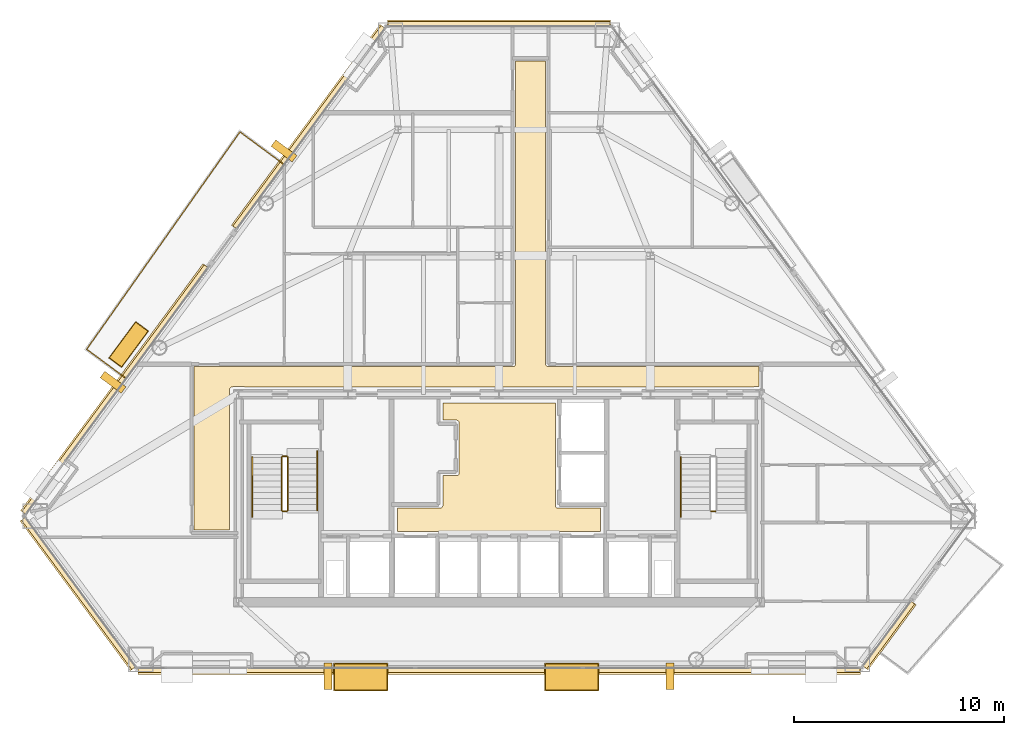
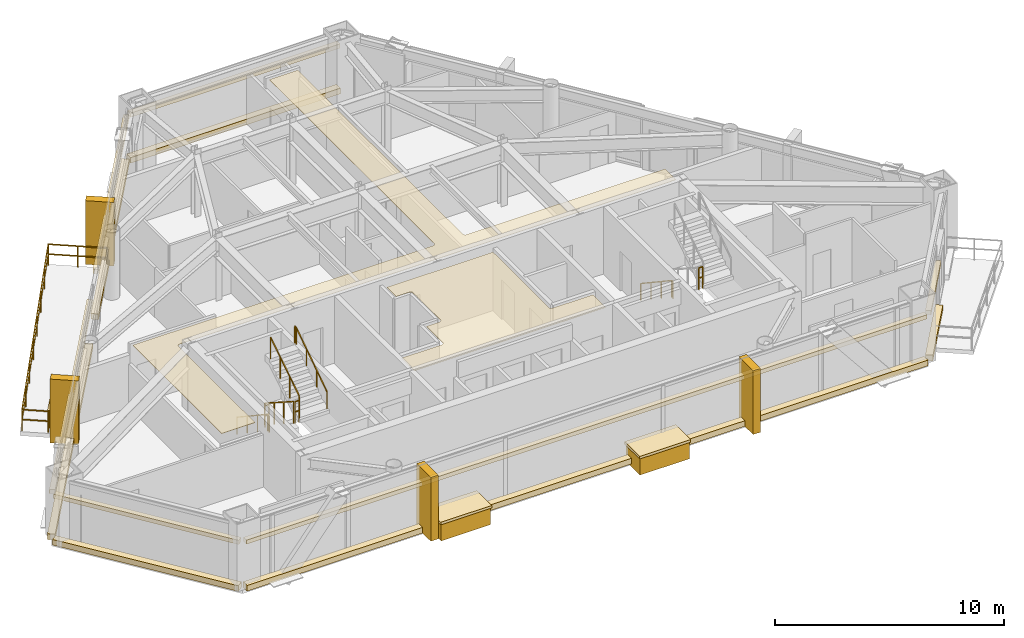
# One storey, part 12 of 13: 24 coverings, 9 railings.
"""IFC4 building model written with IfcOpenShell, lengths in metres."""

import ifcopenshell
import ifcopenshell.guid

model = None  # the IFC model being written
_history = None  # IfcOwnerHistory: only IFC2X3 demands one
_inside = {}  # id of a spatial element -> (the spatial element, [elements in it])
_under = {}  # id of a project, library or spatial element -> (it, [spatial elements below it])
_declared = {}  # id of a project -> (the project, [libraries it declares])
_typed = {}  # id of a type object -> (the type object, [elements of that type])
_made_of = {}  # id of a material, layer set ... -> (it, [elements and type objects made of it])


def new_model(schema):
    """Start an empty IFC model of exactly this schema.

    Asked for "IFC4X3", IfcOpenShell would pick the latest addendum, in which some entities
    have other attributes; the version numbers below select the first issue.
    IFC2X3 requires an IfcOwnerHistory on every rooted entity: one is made here for all.
    """
    global model, _history
    if schema == "IFC4X3":
        model = ifcopenshell.file(schema_version=(4, 3, 0, 0))
    else:
        model = ifcopenshell.file(schema=schema)
    _inside.clear()
    _under.clear()
    _declared.clear()
    _typed.clear()
    _made_of.clear()
    _history = None
    if model.schema == "IFC2X3":
        org = make("IfcOrganization", Name="unknown")
        user = make(
            "IfcPersonAndOrganization",
            ThePerson=make("IfcPerson", FamilyName="unknown"),
            TheOrganization=org,
        )
        app = make(
            "IfcApplication",
            ApplicationDeveloper=org,
            Version="unknown",
            ApplicationFullName="unknown",
            ApplicationIdentifier="unknown",
        )
        _history = make(
            "IfcOwnerHistory",
            OwningUser=user,
            OwningApplication=app,
            ChangeAction="ADDED",
            CreationDate=0,
        )
    return model


def make(cls, **values):
    """One entity of the class cls with the attributes given. An attribute that is None is left unset."""
    return model.create_entity(
        cls, **{name: value for name, value in values.items() if value is not None}
    )


def rooted(cls, **values):
    """An entity with a GlobalId (a new one), such as an element, a storey or a relation."""
    return make(cls, GlobalId=ifcopenshell.guid.new(), OwnerHistory=_history, **values)


def si_unit(unit_type, name, prefix=None):
    """IfcSIUnit, for example si_unit("LENGTHUNIT", "METRE", prefix="MILLI")."""
    return make("IfcSIUnit", UnitType=unit_type, Prefix=prefix, Name=name)


def assignment(units):
    """IfcUnitAssignment: the units of a project."""
    return None if units is None else make("IfcUnitAssignment", Units=units)


def point(xyz):
    """IfcCartesianPoint."""
    return None if xyz is None else make("IfcCartesianPoint", Coordinates=xyz)


def direction(xyz):
    """IfcDirection."""
    return None if xyz is None else make("IfcDirection", DirectionRatios=xyz)


def frame(location, z_axis=None, x_axis=None):
    """IfcAxis2Placement3D, a coordinate frame: its origin and axes. An axis left out is left unset."""
    return make(
        "IfcAxis2Placement3D",
        Location=point(location),
        Axis=direction(z_axis),
        RefDirection=direction(x_axis),
    )


def frame_2d(location, x_axis=None):
    """IfcAxis2Placement2D, a coordinate frame in the plane: its origin and x axis."""
    return make(
        "IfcAxis2Placement2D", Location=point(location), RefDirection=direction(x_axis)
    )


def origin():
    """The frame at (0, 0, 0) with its axes left unset."""
    return frame((0.0, 0.0, 0.0))


def origin_2d():
    """The frame at (0, 0) in the plane with its x axis left unset."""
    return frame_2d((0.0, 0.0))


def place(relative_to, where):
    """IfcLocalPlacement: puts the frame where relative to a parent placement (None: the world)."""
    return make(
        "IfcLocalPlacement", PlacementRelTo=relative_to, RelativePlacement=where
    )


def context(
    kind, dimensions, precision=None, world=None, true_north=None, identifier=None
):
    """IfcGeometricRepresentationContext, for example the 3D "Model" context."""
    return make(
        "IfcGeometricRepresentationContext",
        ContextIdentifier=identifier,
        ContextType=kind,
        CoordinateSpaceDimension=dimensions,
        Precision=precision,
        WorldCoordinateSystem=world,
        TrueNorth=true_north,
    )


def subcontext(parent, identifier, kind, view, scale=None):
    """IfcGeometricRepresentationSubContext, for example "Body" below "Model"."""
    return make(
        "IfcGeometricRepresentationSubContext",
        ContextIdentifier=identifier,
        ContextType=kind,
        ParentContext=parent,
        TargetScale=scale,
        TargetView=view,
    )


def project(units=None, contexts=None):
    """IfcProject with its units and contexts."""
    return rooted(
        "IfcProject",
        Name="project",
        RepresentationContexts=contexts,
        UnitsInContext=assignment(units),
    )


def spatial(cls, under=None, at=None, **own):
    """A site, building, storey or space (cls), placed at a placement, below another one or the project."""
    s = rooted(cls, ObjectPlacement=at, **own)
    if under is not None:
        _under.setdefault(under.id(), (under, []))[1].append(s)
    return s


def polyline(points):
    """IfcPolyline through the points."""
    return make("IfcPolyline", Points=[point(p) for p in points])


def profile(cls, at=None, kind="AREA", **sizes):
    """A parametric profile (cls). Its sizes go by their IFC names, for example OverallWidth=200.0."""
    return make(cls, ProfileType=kind, Position=at, **sizes)


def rectangle(**sizes):
    """IfcRectangleProfileDef."""
    return profile("IfcRectangleProfileDef", **sizes)


def outline(outer, holes=None, kind="AREA"):
    """IfcArbitraryClosedProfileDef: a profile drawn as a closed curve; with holes, ...WithVoids."""
    if holes is None:
        return make("IfcArbitraryClosedProfileDef", ProfileType=kind, OuterCurve=outer)
    return make(
        "IfcArbitraryProfileDefWithVoids",
        ProfileType=kind,
        OuterCurve=outer,
        InnerCurves=holes,
    )


def extrude(swept, where, along, depth):
    """IfcExtrudedAreaSolid: the profile swept, set in the frame where, extruded along a direction by depth."""
    return make(
        "IfcExtrudedAreaSolid",
        SweptArea=swept,
        Position=where,
        ExtrudedDirection=direction(along),
        Depth=depth,
    )


def shape(context_of_items, identifier, shape_type, items):
    """IfcShapeRepresentation: the items that make up one representation, for example the "Body"."""
    return make(
        "IfcShapeRepresentation",
        ContextOfItems=context_of_items,
        RepresentationIdentifier=identifier,
        RepresentationType=shape_type,
        Items=items,
    )


def material(Name=None, Category=None):
    """IfcMaterial."""
    return make("IfcMaterial", Name=Name, Category=Category)


def layer(
    of_material, thickness, ventilated=None, Name=None, Category=None, Priority=None
):
    """IfcMaterialLayer: one layer of a wall or slab, of a material (None: an air gap)."""
    return make(
        "IfcMaterialLayer",
        Material=of_material,
        LayerThickness=thickness,
        IsVentilated=ventilated,
        Name=Name,
        Category=Category,
        Priority=Priority,
    )


def layer_set(layers, Name=None):
    """IfcMaterialLayerSet."""
    return make("IfcMaterialLayerSet", MaterialLayers=layers, LayerSetName=Name)


def made_of(thing, what):
    """Note that an element or type object is made of a material, layer set ...; save() writes the relation."""
    if what is not None:
        _made_of.setdefault(what.id(), (what, []))[1].append(thing)
    return thing


def type_object(cls, material=None, **own):
    """A type object (cls), such as IfcWallType, which elements share."""
    return made_of(rooted(cls, **own), material)


def element(
    cls,
    number,
    at=None,
    inside=None,
    cuts=None,
    type_object=None,
    material=None,
    context=None,
    identifier="Body",
    shape_type=None,
    held_by="IfcProductDefinitionShape",
    body=None,
    shapes=None,
    **own,
):
    """One element of the class cls, such as IfcWall. Its Tag is "e" and its number.

    at: its placement. inside: the storey or other place that contains it. cuts: it is an
    opening in that element (IfcRelVoidsElement). A single representation is given by context,
    identifier, shape_type and body (its items); several are given by shapes. held_by: the class
    of the entity that holds the representations. save() writes the other relations.
    """
    e = rooted(cls, Tag="e%d" % number, ObjectPlacement=at, **own)
    if body is not None:
        shapes = [shape(context, identifier, shape_type, body)]
    if shapes is not None:
        e.Representation = make(held_by, Representations=shapes)
    if inside is not None:
        _inside.setdefault(inside.id(), (inside, []))[1].append(e)
    if cuts is not None:
        rooted(
            "IfcRelVoidsElement", RelatingBuildingElement=cuts, RelatedOpeningElement=e
        )
    if type_object is not None:
        _typed.setdefault(type_object.id(), (type_object, []))[1].append(e)
    return made_of(e, material)


def aggregate(whole, parts):
    """IfcRelAggregates: a whole, such as a stair, and the parts it consists of."""
    return rooted("IfcRelAggregates", RelatingObject=whole, RelatedObjects=parts)


def save(model, path):
    """Write the relations noted so far, then the file.

    IfcRelAggregates (storeys below a building ...), IfcRelContainedInSpatialStructure (elements
    in a storey), IfcRelDefinesByType, IfcRelAssociatesMaterial and IfcRelDeclares: one each for
    every whole, place, type object, material and project.
    """
    for whole, parts in _under.values():
        aggregate(whole, parts)
    for where, things in _inside.values():
        rooted(
            "IfcRelContainedInSpatialStructure",
            RelatedElements=things,
            RelatingStructure=where,
        )
    for kind, things in _typed.values():
        rooted("IfcRelDefinesByType", RelatedObjects=things, RelatingType=kind)
    for what, things in _made_of.values():
        rooted("IfcRelAssociatesMaterial", RelatedObjects=things, RelatingMaterial=what)
    for by, libraries in _declared.values():
        rooted("IfcRelDeclares", RelatingContext=by, RelatedDefinitions=libraries)
    model.write(path)


model = new_model("IFC4")

# Units and contexts
model_context = context("Model", 3, precision=1e-05, world=origin(), true_north=direction((0.0, 1.0)))
body_context = subcontext(model_context, "Body", "Model", "MODEL_VIEW")
ifc_project = project(units=[si_unit("LENGTHUNIT", "METRE"), si_unit("AREAUNIT", "SQUARE_METRE"), si_unit("VOLUMEUNIT", "CUBIC_METRE"), si_unit("PLANEANGLEUNIT", "RADIAN"), si_unit("MASSUNIT", "GRAM", prefix="KILO")], contexts=[model_context])

# Site, building, storey
site_placement = place(None, origin())
site = spatial("IfcSite", under=ifc_project, at=site_placement, CompositionType="ELEMENT")
building_placement = place(site_placement, origin())
building = spatial("IfcBuilding", under=site, at=building_placement, Name="Talgorran Terracotta Tower", CompositionType="ELEMENT")
storey_placement = place(building_placement, frame((0.0, 0.0, 132.89990234375)))
storey = spatial("IfcBuildingStorey", under=building, at=storey_placement, Name="L34", CompositionType="ELEMENT", Elevation=132.89990234375)

# Coverings
ifc_material_1 = material(Name="Kiln-Fired Terracotta Ochre Ceramic", Category="masonry")
ifc_layer_1 = layer(ifc_material_1, 0.179931640625, Name="COV_BAGUETTE_TERRACOTTA_SCREEN")
ifc_layer_set_1 = layer_set([ifc_layer_1], Name="Kiln-Fired Terracotta Ochre Ceramic")
covering_type_1 = type_object("IfcCoveringType", Name="COV_BAGUETTE_TERRACOTTA_SCREEN", PredefinedType="CLADDING", material=ifc_layer_set_1)
covering_1_placement = place(storey_placement, frame((-20.006591796875, -13.6689453125, 2.41015625), z_axis=(0.0, 0.0, 1.0), x_axis=(0.594359699802, -0.804199320598, 0.0)))
element("IfcCovering", 1, at=covering_1_placement, inside=storey, type_object=covering_type_1, Name="L34 Terracotta Baguette Solar Screen Assembly F0", PredefinedType="CLADDING", context=body_context, shape_type="SweptSolid", body=[
    extrude(rectangle(XDim=8.836181640625, YDim=0.260009765625, at=origin_2d()), origin(), (0.0, 0.0, 1.0), 0.219970703125),
])
covering_2_placement = place(storey_placement, frame((0.0, -17.31884765625, 2.41015625), z_axis=(0.0, 0.0, 1.0), x_axis=(1.0, 0.0, 0.0)))
element("IfcCovering", 2, at=covering_2_placement, inside=storey, type_object=covering_type_1, Name="L34 Terracotta Baguette Solar Screen Assembly F1", PredefinedType="CLADDING", context=body_context, shape_type="SweptSolid", body=[
    extrude(rectangle(XDim=34.377197265625, YDim=0.260009765625, at=origin_2d()), origin(), (0.0, 0.0, 1.0), 0.219970703125),
])
covering_3_placement = place(storey_placement, frame((18.54541015625, -15.646240234375, 2.41015625), z_axis=(0.0, 0.0, 1.0), x_axis=(0.594345663786, 0.80420969401, 0.0)))
element("IfcCovering", 3, at=covering_3_placement, inside=storey, type_object=covering_type_1, Name="L34 Terracotta Baguette Solar Screen Assembly F30", PredefinedType="CLADDING", context=body_context, shape_type="SweptSolid", body=[
    extrude(rectangle(XDim=3.839111328125, YDim=0.260009765625, at=origin_2d()), origin(), (0.0, 0.0, 1.0), 0.219970703125),
])
covering_4_placement = place(storey_placement, frame((0.0, 13.41357421875, 2.41015625), z_axis=(0.0, 0.0, 1.0), x_axis=(-1.0, 0.0, 0.0)))
element("IfcCovering", 4, at=covering_4_placement, inside=storey, type_object=covering_type_1, Name="L34 Terracotta Baguette Solar Screen Assembly F4", PredefinedType="CLADDING", context=body_context, shape_type="SweptSolid", body=[
    extrude(rectangle(XDim=10.586669921875, YDim=0.260009765625, at=origin_2d()), origin(), (0.0, 0.0, 1.0), 0.219970703125),
])
covering_5_placement = place(storey_placement, frame((-9.037109375, 8.510986328125, 2.41015625), z_axis=(0.0, 0.0, 1.0), x_axis=(-0.594359699802, -0.804199320598, 0.0)))
element("IfcCovering", 5, at=covering_5_placement, inside=storey, type_object=covering_type_1, Name="L34 Terracotta Baguette Solar Screen Assembly F60", PredefinedType="CLADDING", context=body_context, shape_type="SweptSolid", body=[
    extrude(rectangle(XDim=11.871337890625, YDim=0.260009765625, at=origin_2d()), origin(), (0.0, 0.0, 1.0), 0.219970703125),
])
covering_6_placement = place(storey_placement, frame((-18.2705078125, -3.982421875, 2.41015625), z_axis=(0.0, 0.0, 1.0), x_axis=(-0.594359699802, -0.804199320598, 0.0)))
element("IfcCovering", 6, at=covering_6_placement, inside=storey, type_object=covering_type_1, Name="L34 Terracotta Baguette Solar Screen Assembly F61", PredefinedType="CLADDING", context=body_context, shape_type="SweptSolid", body=[
    extrude(rectangle(XDim=14.598388671875, YDim=0.260009765625, at=origin_2d()), origin(), (0.0, 0.0, 1.0), 0.219970703125),
])
ifc_material_2 = material(Name="Mineral Fibre Acoustic Tile")
ifc_layer_2 = layer(ifc_material_2, 0.02490234375, Name="COV_CEIL_ACOUSTIC")
ifc_layer_set_2 = layer_set([ifc_layer_2], Name="Mineral Fibre Acoustic Tile")
covering_type_2 = type_object("IfcCoveringType", Name="COV_CEIL_ACOUSTIC", PredefinedType="CEILING", material=ifc_layer_set_2)
covering_7_placement = place(storey_placement, frame((0.0, 0.0, 3.260009765625)))
element("IfcCovering", 7, at=covering_7_placement, inside=storey, type_object=covering_type_2, Name="CEIL-L34-2", PredefinedType="CEILING", context=body_context, shape_type="SweptSolid", body=[
    extrude(outline(polyline([(-12.6884765625, -3.84521484375), (-12.703369140625, -3.84521484375), (-12.715087890625, -3.845947265625), (-12.7265625, -3.84765625), (-12.73779296875, -3.8505859375), (-12.748779296875, -3.8544921875), (-12.75927734375, -3.859375), (-12.76708984375, -3.863525390625), (-12.777099609375, -3.86962890625), (-12.78662109375, -3.876708984375), (-12.79541015625, -3.884521484375), (-12.803466796875, -3.893310546875), (-12.810302734375, -3.90283203125), (-12.81640625, -3.9130859375), (-12.820556640625, -3.920654296875), (-12.82568359375, -3.931396484375), (-12.82958984375, -3.9423828125), (-12.83251953125, -3.953857421875), (-12.833984375, -3.96533203125), (-12.834716796875, -3.97705078125), (-12.8349609375, -10.6650390625), (-14.514892578125, -10.6650390625), (-14.514892578125, -2.885009765625), (0.64990234375, -2.885009765625), (0.66162109375, -2.884521484375), (0.67333984375, -2.8828125), (0.6845703125, -2.8798828125), (0.69287109375, -2.87744140625), (0.7041015625, -2.87353515625), (0.714599609375, -2.868408203125), (0.724853515625, -2.8623046875), (0.734375, -2.85546875), (0.742919921875, -2.847412109375), (0.7509765625, -2.8388671875), (0.756591796875, -2.83203125), (0.763671875, -2.822509765625), (0.769775390625, -2.8125), (0.774658203125, -2.8017578125), (0.77880859375, -2.79052734375), (0.781494140625, -2.779296875), (0.783203125, -2.767578125), (0.783935546875, -2.755615234375), (0.784912109375, 11.6650390625), (2.215087890625, 11.6650390625), (2.215087890625, -2.75), (2.215576171875, -2.76171875), (2.21728515625, -2.773193359375), (2.22021484375, -2.78466796875), (2.22265625, -2.79296875), (2.2265625, -2.803955078125), (2.231689453125, -2.814697265625), (2.237548828125, -2.82470703125), (2.24462890625, -2.834228515625), (2.25244140625, -2.843017578125), (2.26123046875, -2.850830078125), (2.26806640625, -2.8564453125), (2.277587890625, -2.863525390625), (2.28759765625, -2.86962890625), (2.29833984375, -2.874755859375), (2.309326171875, -2.878662109375), (2.32080078125, -2.881591796875), (2.33251953125, -2.88330078125), (2.34423828125, -2.8837890625), (12.364990234375, -2.885009765625), (12.364990234375, -3.830078125), (12.169921875, -3.830078125), (12.158203125, -3.83056640625), (12.146484375, -3.832275390625), (12.13525390625, -3.835205078125), (12.1240234375, -3.839111328125), (12.11328125, -3.84423828125), (12.112060546875, -3.844970703125), (7.432861328125, -3.844970703125), (6.968017578125, -3.843017578125), (6.967529296875, -3.843017578125), (0.232666015625, -3.844970703125), (-0.23193359375, -3.843017578125), (-0.232421875, -3.843017578125), (-6.96728515625, -3.844970703125), (-7.431884765625, -3.843017578125), (-7.4326171875, -3.843017578125), (-12.112060546875, -3.844970703125), (-12.11328125, -3.84423828125), (-12.1240234375, -3.839111328125), (-12.13525390625, -3.835205078125), (-12.146484375, -3.832275390625), (-12.158203125, -3.83056640625), (-12.169921875, -3.830078125), (-12.6298828125, -3.830078125), (-12.641845703125, -3.83056640625), (-12.6533203125, -3.832275390625), (-12.664794921875, -3.835205078125), (-12.67578125, -3.839111328125), (-12.6865234375, -3.84423828125), (-12.6884765625, -3.84521484375)])), origin(), (0.0, 0.0, 1.0), 0.02001953125),
])
ifc_material_3 = material(Name="Flush Moisture-Resistant Plaster")
ifc_layer_3 = layer(ifc_material_3, 0.01806640625, Name="COV_CEIL_PLASTER")
ifc_layer_set_3 = layer_set([ifc_layer_3], Name="Flush Moisture-Resistant Plaster")
covering_type_3 = type_object("IfcCoveringType", Name="COV_CEIL_PLASTER", PredefinedType="CEILING", material=ifc_layer_set_3)
covering_8_placement = place(storey_placement, frame((0.0, 0.0, 3.260009765625)))
element("IfcCovering", 8, at=covering_8_placement, inside=storey, type_object=covering_type_3, Name="CEIL-L34-1", PredefinedType="CEILING", context=body_context, shape_type="SweptSolid", body=[
    extrude(outline(polyline([(2.679931640625, -4.6201171875), (2.679931640625, -9.5), (2.6806640625, -9.51171875), (2.682373046875, -9.5234375), (2.685302734375, -9.534912109375), (2.689208984375, -9.5458984375), (2.694091796875, -9.556640625), (2.7001953125, -9.566650390625), (2.707275390625, -9.576171875), (2.715087890625, -9.5849609375), (2.723876953125, -9.5927734375), (2.7333984375, -9.599853515625), (2.743408203125, -9.605712890625), (2.754150390625, -9.61083984375), (2.76513671875, -9.61474609375), (2.776611328125, -9.61767578125), (2.7880859375, -9.619384765625), (2.800048828125, -9.6201171875), (4.830078125, -9.6201171875), (4.830078125, -10.72998046875), (-4.830078125, -10.72998046875), (-4.830078125, -9.6201171875), (-2.800048828125, -9.6201171875), (-2.7880859375, -9.619384765625), (-2.776611328125, -9.61767578125), (-2.76513671875, -9.61474609375), (-2.754150390625, -9.61083984375), (-2.743408203125, -9.605712890625), (-2.7333984375, -9.599853515625), (-2.723876953125, -9.5927734375), (-2.715087890625, -9.5849609375), (-2.707275390625, -9.576171875), (-2.7001953125, -9.566650390625), (-2.694091796875, -9.556640625), (-2.689208984375, -9.5458984375), (-2.685302734375, -9.534912109375), (-2.682373046875, -9.5234375), (-2.6806640625, -9.51171875), (-2.679931640625, -9.5), (-2.679931640625, -8.070068359375), (-2.02001953125, -8.070068359375), (-2.00830078125, -8.0693359375), (-1.99658203125, -8.067626953125), (-1.985107421875, -8.064697265625), (-1.97412109375, -8.060791015625), (-1.96337890625, -8.055908203125), (-1.953369140625, -8.0498046875), (-1.94384765625, -8.042724609375), (-1.93505859375, -8.034912109375), (-1.92724609375, -8.026123046875), (-1.920166015625, -8.0166015625), (-1.914306640625, -8.006591796875), (-1.9091796875, -7.995849609375), (-1.9052734375, -7.98486328125), (-1.90234375, -7.973388671875), (-1.900634765625, -7.9619140625), (-1.89990234375, -7.949951171875), (-1.89990234375, -5.550048828125), (-1.900634765625, -5.5380859375), (-1.90234375, -5.526611328125), (-1.9052734375, -5.51513671875), (-1.9091796875, -5.504150390625), (-1.914306640625, -5.493408203125), (-1.920166015625, -5.4833984375), (-1.92724609375, -5.473876953125), (-1.93505859375, -5.465087890625), (-1.94384765625, -5.457275390625), (-1.953369140625, -5.4501953125), (-1.96337890625, -5.444091796875), (-1.97412109375, -5.439208984375), (-1.985107421875, -5.435302734375), (-1.99658203125, -5.432373046875), (-2.00830078125, -5.4306640625), (-2.02001953125, -5.429931640625), (-2.679931640625, -5.429931640625), (-2.679931640625, -4.6201171875), (2.679931640625, -4.6201171875)])), origin(), (0.0, 0.0, 1.0), 0.02001953125),
])
ifc_material_4 = material(Name="Honed Limestone and Terracotta Planter", Category="masonry")
ifc_layer_4 = layer(ifc_material_4, 0.1201171875, Name="COV_PLANTER_BOX")
ifc_layer_set_4 = layer_set([ifc_layer_4], Name="Honed Limestone and Terracotta Planter")
covering_type_4 = type_object("IfcCoveringType", Name="COV_PLANTER_BOX", PredefinedType="CLADDING", material=ifc_layer_set_4)
for number, where, z_axis, x_axis, name in (
    (9, (3.4638671875, -17.658935546875, -0.179931640625), (0.0, 0.0, 1.0), (1.0, 0.0, 0.0), "L34 Staggered South Facade Planter Box 1"),
    (10, (-6.581298828125, -17.658935546875, -0.179931640625), (0.0, 0.0, 1.0), (1.0, 0.0, 0.0), "L34 Staggered South Facade Planter Box 2"),
):
    element("IfcCovering", number, at=place(storey_placement, frame(where, z_axis=z_axis, x_axis=x_axis)), inside=storey, type_object=covering_type_4, Name=name, PredefinedType="CLADDING", context=body_context, shape_type="SweptSolid", body=[
        extrude(rectangle(XDim=2.5, YDim=1.25, at=origin_2d()), origin(), (0.0, 0.0, 1.0), 0.919921875),
    ])
covering_9_placement = place(storey_placement, frame((-17.635009765625, -1.826904296875, -0.02001953125), z_axis=(0.0, 0.0, 1.0), x_axis=(-0.594359699802, -0.804199320598, 0.0)))
element("IfcCovering", 11, at=covering_9_placement, inside=storey, type_object=covering_type_4, Name="L34 Staggered Balcony Planter Box BAL-NW", PredefinedType="CLADDING", context=body_context, shape_type="SweptSolid", body=[
    extrude(rectangle(XDim=2.10009765625, YDim=0.719970703125, at=origin_2d()), origin(), (0.0, 0.0, 1.0), 0.860107421875),
])
ifc_material_5 = material(Name="Kiln-Fired Terracotta Planter Rim", Category="masonry")
ifc_layer_5 = layer(ifc_material_5, 0.10009765625, Name="COV_PLANTER_RIM")
ifc_layer_set_5 = layer_set([ifc_layer_5], Name="Kiln-Fired Terracotta Planter Rim")
covering_type_5 = type_object("IfcCoveringType", Name="COV_PLANTER_RIM", PredefinedType="CLADDING", material=ifc_layer_set_5)
for number, where, z_axis, x_axis, name in (
    (12, (3.4638671875, -17.658935546875, 0.7099609375), (0.0, 0.0, 1.0), (1.0, 0.0, 0.0), "L34 South Planter Terracotta Rim 1"),
    (13, (-6.581298828125, -17.658935546875, 0.7099609375), (0.0, 0.0, 1.0), (1.0, 0.0, 0.0), "L34 South Planter Terracotta Rim 2"),
):
    element("IfcCovering", number, at=place(storey_placement, frame(where, z_axis=z_axis, x_axis=x_axis)), inside=storey, type_object=covering_type_5, Name=name, PredefinedType="CLADDING", context=body_context, shape_type="SweptSolid", body=[
        extrude(rectangle(XDim=2.580078125, YDim=1.320068359375, at=origin_2d()), origin(), (0.0, 0.0, 1.0), 0.139892578125),
    ])
covering_10_placement = place(storey_placement, frame((-17.635009765625, -1.826904296875, 0.800048828125), z_axis=(0.0, 0.0, 1.0), x_axis=(-0.594359699802, -0.804199320598, 0.0)))
element("IfcCovering", 14, at=covering_10_placement, inside=storey, type_object=covering_type_5, Name="L34 Balcony Planter Terracotta Rim BAL-NW", PredefinedType="CLADDING", context=body_context, shape_type="SweptSolid", body=[
    extrude(rectangle(XDim=2.179931640625, YDim=0.780029296875, at=origin_2d()), origin(), (0.0, 0.0, 1.0), 0.1201171875),
])
ifc_material_6 = material(Name="Honed Limestone Cladding", Category="masonry")
ifc_layer_6 = layer(ifc_material_6, 0.094970703125, Name="COV_PORTAL_LIME")
ifc_layer_set_6 = layer_set([ifc_layer_6], Name="Honed Limestone Cladding")
covering_type_6 = type_object("IfcCoveringType", Name="COV_PORTAL_LIME", PredefinedType="CLADDING", material=ifc_layer_set_6)
covering_11_placement = place(storey_placement, frame((-20.038818359375, -13.69287109375, -0.0400390625), z_axis=(0.0, 0.0, 1.0), x_axis=(0.594359699802, -0.804199320598, 0.0)))
element("IfcCovering", 15, at=covering_11_placement, inside=storey, type_object=covering_type_6, Name="L34 Striped Postmodern Portal Cladding Band F0", PredefinedType="CLADDING", context=body_context, shape_type="SweptSolid", body=[
    extrude(rectangle(XDim=8.856201171875, YDim=0.340087890625, at=origin_2d()), origin(), (0.0, 0.0, 1.0), 0.300048828125),
])
covering_12_placement = place(storey_placement, frame((0.0, -17.35888671875, -0.0400390625), z_axis=(0.0, 0.0, 1.0), x_axis=(1.0, 0.0, 0.0)))
element("IfcCovering", 16, at=covering_12_placement, inside=storey, type_object=covering_type_6, Name="L34 Striped Postmodern Portal Cladding Band F1", PredefinedType="CLADDING", context=body_context, shape_type="SweptSolid", body=[
    extrude(rectangle(XDim=34.397216796875, YDim=0.340087890625, at=origin_2d()), origin(), (0.0, 0.0, 1.0), 0.300048828125),
])
covering_13_placement = place(storey_placement, frame((18.577392578125, -15.669921875, -0.0400390625), z_axis=(0.0, 0.0, 1.0), x_axis=(0.594345663786, 0.80420969401, 0.0)))
element("IfcCovering", 17, at=covering_13_placement, inside=storey, type_object=covering_type_6, Name="L34 Striped Postmodern Portal Cladding Band F30", PredefinedType="CLADDING", context=body_context, shape_type="SweptSolid", body=[
    extrude(rectangle(XDim=3.85888671875, YDim=0.340087890625, at=origin_2d()), origin(), (0.0, 0.0, 1.0), 0.300048828125),
])
covering_14_placement = place(storey_placement, frame((0.0, 13.45361328125, -0.0400390625), z_axis=(0.0, 0.0, 1.0), x_axis=(-1.0, 0.0, 0.0)))
element("IfcCovering", 18, at=covering_14_placement, inside=storey, type_object=covering_type_6, Name="L34 Striped Postmodern Portal Cladding Band F4", PredefinedType="CLADDING", context=body_context, shape_type="SweptSolid", body=[
    extrude(rectangle(XDim=10.606689453125, YDim=0.340087890625, at=origin_2d()), origin(), (0.0, 0.0, 1.0), 0.300048828125),
])
covering_15_placement = place(storey_placement, frame((-9.069091796875, 8.53466796875, -0.0400390625), z_axis=(0.0, 0.0, 1.0), x_axis=(-0.594359699802, -0.804199320598, 0.0)))
element("IfcCovering", 19, at=covering_15_placement, inside=storey, type_object=covering_type_6, Name="L34 Striped Postmodern Portal Cladding Band F60", PredefinedType="CLADDING", context=body_context, shape_type="SweptSolid", body=[
    extrude(rectangle(XDim=11.891357421875, YDim=0.340087890625, at=origin_2d()), origin(), (0.0, 0.0, 1.0), 0.300048828125),
])
covering_16_placement = place(storey_placement, frame((-18.302490234375, -3.95849609375, -0.0400390625), z_axis=(0.0, 0.0, 1.0), x_axis=(-0.594359699802, -0.804199320598, 0.0)))
element("IfcCovering", 20, at=covering_16_placement, inside=storey, type_object=covering_type_6, Name="L34 Striped Postmodern Portal Cladding Band F61", PredefinedType="CLADDING", context=body_context, shape_type="SweptSolid", body=[
    extrude(rectangle(XDim=14.618408203125, YDim=0.340087890625, at=origin_2d()), origin(), (0.0, 0.0, 1.0), 0.300048828125),
])
for number, where, z_axis, x_axis, name in (
    (21, (8.139892578125, -17.618896484375, -0.0498046875), (0.0, 0.0, 1.0), (1.0, 0.0, 0.0), "L34 White Striped Portal Fin F1-2"),
    (22, (-18.37841796875, -3.623779296875, -0.0498046875), (0.0, 0.0, 1.0), (-0.594359699802, -0.804199320598, 0.0), "L34 White Striped Portal Fin F5-2"),
):
    element("IfcCovering", number, at=place(storey_placement, frame(where, z_axis=z_axis, x_axis=x_axis)), inside=storey, type_object=covering_type_6, Name=name, PredefinedType="CLADDING", context=body_context, shape_type="SweptSolid", body=[
        extrude(rectangle(XDim=0.3798828125, YDim=1.25, at=origin_2d()), origin(), (0.0, 0.0, 1.0), 3.39990234375),
    ])
ifc_material_7 = material(Name="Kiln-Fired Terracotta Cladding", Category="masonry")
ifc_layer_7 = layer(ifc_material_7, 0.090087890625, Name="COV_PORTAL_TERRA")
ifc_layer_set_7 = layer_set([ifc_layer_7], Name="Kiln-Fired Terracotta Cladding")
covering_type_7 = type_object("IfcCoveringType", Name="COV_PORTAL_TERRA", PredefinedType="CLADDING", material=ifc_layer_set_7)
for number, where, z_axis, x_axis, name in (
    (23, (-8.139892578125, -17.618896484375, -0.0498046875), (0.0, 0.0, 1.0), (1.0, 0.0, 0.0), "L34 Terracotta Striped Portal Fin F1-1"),
    (24, (-10.238525390625, 7.389892578125, -0.0498046875), (0.0, 0.0, 1.0), (-0.594359699802, -0.804199320598, 0.0), "L34 Terracotta Striped Portal Fin F5-1"),
):
    element("IfcCovering", number, at=place(storey_placement, frame(where, z_axis=z_axis, x_axis=x_axis)), inside=storey, type_object=covering_type_7, Name=name, PredefinedType="CLADDING", context=body_context, shape_type="SweptSolid", body=[
        extrude(rectangle(XDim=0.3798828125, YDim=1.25, at=origin_2d()), origin(), (0.0, 0.0, 1.0), 3.39990234375),
    ])

# Railings
ifc_material_8 = material(Name="Laminated Glass and Stainless Steel 316", Category="steel")
railing_type_1 = type_object("IfcRailingType", Name="RL_BALCONY_1150", PredefinedType="BALUSTRADE", material=ifc_material_8)
railing_1_placement = place(storey_placement, frame((-10.240234375, 6.748291015625, 0.0)))
element("IfcRailing", 25, at=railing_1_placement, inside=storey, type_object=railing_type_1, Name="RL-L34-BAL-BAL-NW", PredefinedType="BALUSTRADE", context=body_context, shape_type="SweptSolid", body=[
    extrude(rectangle(XDim=0.048095703125, YDim=0.048095703125, at=origin_2d()), frame((0.0, 0.0, 1.1259765625), z_axis=(-0.804230669372, 0.594317280955, 0.0), x_axis=(-0.594317280955, -0.804230669372, 0.0)), (0.0, 0.0, 1.0), 2.605224609375),
    extrude(rectangle(XDim=0.048095703125, YDim=0.048095703125, at=origin_2d()), frame((0.0, 0.0, 0.597900390625), z_axis=(-0.804230669372, 0.594317280955, 0.0), x_axis=(-0.594317280955, -0.804230669372, 0.0)), (0.0, 0.0, 1.0), 2.605224609375),
    extrude(rectangle(XDim=0.048095703125, YDim=0.048095703125, at=origin_2d()), frame((-2.09521484375, 1.54833984375, 1.1259765625), z_axis=(-0.576247164836, -0.817275476824, 0.0), x_axis=(0.817275476824, -0.576247164836, 0.0)), (0.0, 0.0, 1.0), 12.66455078125),
    extrude(rectangle(XDim=0.048095703125, YDim=0.048095703125, at=origin_2d()), frame((-2.09521484375, 1.54833984375, 0.597900390625), z_axis=(-0.576247164836, -0.817275476824, 0.0), x_axis=(0.817275476824, -0.576247164836, 0.0)), (0.0, 0.0, 1.0), 12.66455078125),
    extrude(rectangle(XDim=0.048095703125, YDim=0.048095703125, at=origin_2d()), frame((-9.39306640625, -8.802001953125, 1.1259765625), z_axis=(0.804243866644, -0.594299421979, 0.0), x_axis=(0.594299421979, 0.804243866644, 0.0)), (0.0, 0.0, 1.0), 2.322265625),
    extrude(rectangle(XDim=0.048095703125, YDim=0.048095703125, at=origin_2d()), frame((-9.39306640625, -8.802001953125, 0.597900390625), z_axis=(0.804243866644, -0.594299421979, 0.0), x_axis=(0.594299421979, 0.804243866644, 0.0)), (0.0, 0.0, 1.0), 2.322265625),
    extrude(rectangle(XDim=0.0419921875, YDim=0.0419921875, at=origin_2d()), origin(), (0.0, 0.0, 1.0), 1.101806640625),
    extrude(rectangle(XDim=0.0419921875, YDim=0.0419921875, at=origin_2d()), frame((-1.047607421875, 0.774169921875, 0.0)), (0.0, 0.0, 1.0), 1.101806640625),
    extrude(rectangle(XDim=0.0419921875, YDim=0.0419921875, at=origin_2d()), frame((-2.09521484375, 1.54833984375, 0.0)), (0.0, 0.0, 1.0), 1.101806640625),
    extrude(rectangle(XDim=0.0419921875, YDim=0.0419921875, at=origin_2d()), frame((-3.1376953125, 0.06982421875, 0.0)), (0.0, 0.0, 1.0), 1.101806640625),
    extrude(rectangle(XDim=0.0419921875, YDim=0.0419921875, at=origin_2d()), frame((-4.180419921875, -1.408935546875, 0.0)), (0.0, 0.0, 1.0), 1.101806640625),
    extrude(rectangle(XDim=0.0419921875, YDim=0.0419921875, at=origin_2d()), frame((-5.222900390625, -2.887451171875, 0.0)), (0.0, 0.0, 1.0), 1.101806640625),
    extrude(rectangle(XDim=0.0419921875, YDim=0.0419921875, at=origin_2d()), frame((-6.265380859375, -4.3662109375, 0.0)), (0.0, 0.0, 1.0), 1.101806640625),
    extrude(rectangle(XDim=0.0419921875, YDim=0.0419921875, at=origin_2d()), frame((-7.307861328125, -5.8447265625, 0.0)), (0.0, 0.0, 1.0), 1.101806640625),
    extrude(rectangle(XDim=0.0419921875, YDim=0.0419921875, at=origin_2d()), frame((-8.3505859375, -7.323486328125, 0.0)), (0.0, 0.0, 1.0), 1.101806640625),
    extrude(rectangle(XDim=0.0419921875, YDim=0.0419921875, at=origin_2d()), frame((-9.39306640625, -8.802001953125, 0.0)), (0.0, 0.0, 1.0), 1.101806640625),
    extrude(rectangle(XDim=0.0419921875, YDim=0.0419921875, at=origin_2d()), frame((-8.459228515625, -9.4921875, 0.0)), (0.0, 0.0, 1.0), 1.101806640625),
    extrude(rectangle(XDim=0.0419921875, YDim=0.0419921875, at=origin_2d()), frame((-7.525390625, -10.18212890625, 0.0)), (0.0, 0.0, 1.0), 1.101806640625),
])
ifc_material_9 = material(Name="Steel S355 (300PLUS)", Category="steel")
railing_type_2 = type_object("IfcRailingType", Name="RL_HANDRAIL_920", PredefinedType="HANDRAIL", material=ifc_material_9)
railing_2_placement = place(storey_placement, frame((-11.75, -7.199951171875, 0.18017578125)))
element("IfcRailing", 26, at=railing_2_placement, inside=storey, type_object=railing_type_2, Name="L34 ST-01 stair handrail 1", PredefinedType="HANDRAIL", context=body_context, shape_type="SweptSolid", body=[
    extrude(rectangle(XDim=0.048095703125, YDim=0.048095703125, at=origin_2d()), frame((0.0, 0.0, 0.89599609375), z_axis=(0.0, -0.832073444223, 0.554665469827), x_axis=(1.0, 0.0, 0.0)), (0.0, 0.0, 1.0), 3.244873046875),
    extrude(rectangle(XDim=0.048095703125, YDim=0.048095703125, at=origin_2d()), frame((0.0, -2.699951171875, 2.69580078125), z_axis=(0.0, -1.0, 0.0), x_axis=(1.0, 0.0, 0.0)), (0.0, 0.0, 1.0), 0.1201171875),
    extrude(rectangle(XDim=0.0419921875, YDim=0.0419921875, at=origin_2d()), origin(), (0.0, 0.0, 1.0), 0.871826171875),
    extrude(rectangle(XDim=0.0419921875, YDim=0.0419921875, at=origin_2d()), frame((0.0, -0.89990234375, 0.599853515625)), (0.0, 0.0, 1.0), 0.871826171875),
    extrude(rectangle(XDim=0.0419921875, YDim=0.0419921875, at=origin_2d()), frame((0.0, -1.800048828125, 1.199951171875)), (0.0, 0.0, 1.0), 0.871826171875),
    extrude(rectangle(XDim=0.0419921875, YDim=0.0419921875, at=origin_2d()), frame((0.0, -2.699951171875, 1.7998046875)), (0.0, 0.0, 1.0), 0.871826171875),
    extrude(rectangle(XDim=0.0419921875, YDim=0.0419921875, at=origin_2d()), frame((0.0, -2.820068359375, 1.7998046875)), (0.0, 0.0, 1.0), 0.871826171875),
])
railing_3_placement = place(storey_placement, frame((-8.64990234375, -9.719970703125, 1.97998046875)))
element("IfcRailing", 27, at=railing_3_placement, inside=storey, type_object=railing_type_2, Name="L34 ST-01 stair handrail 2", PredefinedType="HANDRAIL", context=body_context, shape_type="SweptSolid", body=[
    extrude(rectangle(XDim=0.048095703125, YDim=0.048095703125, at=origin_2d()), frame((0.0, 0.0, 0.89599609375), z_axis=(0.0, 0.832038719335, 0.554717558338), x_axis=(-1.0, 0.0, 0.0)), (0.0, 0.0, 1.0), 3.244873046875),
    extrude(rectangle(XDim=0.048095703125, YDim=0.048095703125, at=origin_2d()), frame((0.0, 2.699951171875, 2.69580078125), z_axis=(0.0, 1.0, 0.0), x_axis=(-1.0, 0.0, 0.0)), (0.0, 0.0, 1.0), 0.1201171875),
    extrude(rectangle(XDim=0.0419921875, YDim=0.0419921875, at=origin_2d()), origin(), (0.0, 0.0, 1.0), 0.871826171875),
    extrude(rectangle(XDim=0.0419921875, YDim=0.0419921875, at=origin_2d()), frame((0.0, 0.89990234375, 0.60009765625)), (0.0, 0.0, 1.0), 0.871826171875),
    extrude(rectangle(XDim=0.0419921875, YDim=0.0419921875, at=origin_2d()), frame((0.0, 1.800048828125, 1.199951171875)), (0.0, 0.0, 1.0), 0.871826171875),
    extrude(rectangle(XDim=0.0419921875, YDim=0.0419921875, at=origin_2d()), frame((0.0, 2.699951171875, 1.800048828125)), (0.0, 0.0, 1.0), 0.871826171875),
    extrude(rectangle(XDim=0.0419921875, YDim=0.0419921875, at=origin_2d()), frame((0.0, 2.820068359375, 1.800048828125)), (0.0, 0.0, 1.0), 0.871826171875),
])
railing_4_placement = place(storey_placement, frame((8.64990234375, -7.199951171875, 0.18017578125)))
element("IfcRailing", 28, at=railing_4_placement, inside=storey, type_object=railing_type_2, Name="L34 ST-02 stair handrail 1", PredefinedType="HANDRAIL", context=body_context, shape_type="SweptSolid", body=[
    extrude(rectangle(XDim=0.048095703125, YDim=0.048095703125, at=origin_2d()), frame((0.0, 0.0, 0.89599609375), z_axis=(0.0, -0.832073444223, 0.554665469827), x_axis=(1.0, 0.0, 0.0)), (0.0, 0.0, 1.0), 3.244873046875),
    extrude(rectangle(XDim=0.048095703125, YDim=0.048095703125, at=origin_2d()), frame((0.0, -2.699951171875, 2.69580078125), z_axis=(0.0, -1.0, 0.0), x_axis=(1.0, 0.0, 0.0)), (0.0, 0.0, 1.0), 0.1201171875),
    extrude(rectangle(XDim=0.0419921875, YDim=0.0419921875, at=origin_2d()), origin(), (0.0, 0.0, 1.0), 0.871826171875),
    extrude(rectangle(XDim=0.0419921875, YDim=0.0419921875, at=origin_2d()), frame((0.0, -0.89990234375, 0.599853515625)), (0.0, 0.0, 1.0), 0.871826171875),
    extrude(rectangle(XDim=0.0419921875, YDim=0.0419921875, at=origin_2d()), frame((0.0, -1.800048828125, 1.199951171875)), (0.0, 0.0, 1.0), 0.871826171875),
    extrude(rectangle(XDim=0.0419921875, YDim=0.0419921875, at=origin_2d()), frame((0.0, -2.699951171875, 1.7998046875)), (0.0, 0.0, 1.0), 0.871826171875),
    extrude(rectangle(XDim=0.0419921875, YDim=0.0419921875, at=origin_2d()), frame((0.0, -2.820068359375, 1.7998046875)), (0.0, 0.0, 1.0), 0.871826171875),
])
railing_type_3 = type_object("IfcRailingType", Name="RL_STAIR_GUARD", PredefinedType="GUARDRAIL", material=ifc_material_9)
railing_5_placement = place(storey_placement, frame((-10.35009765625, -7.199951171875, 0.18017578125)))
element("IfcRailing", 29, at=railing_5_placement, inside=storey, type_object=railing_type_3, Name="L34 ST-01 stair guard 1", PredefinedType="GUARDRAIL", context=body_context, shape_type="SweptSolid", body=[
    extrude(rectangle(XDim=0.048095703125, YDim=0.048095703125, at=origin_2d()), frame((0.0, 0.0, 1.15576171875), z_axis=(0.0, -0.841199657755, 0.540724639528), x_axis=(1.0, 0.0, 0.0)), (0.0, 0.0, 1.0), 2.995849609375),
    extrude(rectangle(XDim=0.0419921875, YDim=0.0419921875, at=origin_2d()), origin(), (0.0, 0.0, 1.0), 1.1318359375),
    extrude(rectangle(XDim=0.0419921875, YDim=0.0419921875, at=origin_2d()), frame((0.0, -0.840087890625, 0.5400390625)), (0.0, 0.0, 1.0), 1.1318359375),
    extrude(rectangle(XDim=0.0419921875, YDim=0.0419921875, at=origin_2d()), frame((0.0, -1.679931640625, 1.079833984375)), (0.0, 0.0, 1.0), 1.1318359375),
    extrude(rectangle(XDim=0.0419921875, YDim=0.0419921875, at=origin_2d()), frame((0.0, -2.52001953125, 1.619873046875)), (0.0, 0.0, 1.0), 1.1318359375),
])
railing_6_placement = place(storey_placement, frame((-10.300048828125, -9.77001953125, 1.800048828125)))
element("IfcRailing", 30, at=railing_6_placement, inside=storey, type_object=railing_type_3, Name="L34 ST-01 stair guard 2", PredefinedType="GUARDRAIL", context=body_context, shape_type="SweptSolid", body=[
    extrude(rectangle(XDim=0.048095703125, YDim=0.048095703125, at=origin_2d()), frame((0.0, 0.0, 1.15576171875), z_axis=(1.0, 0.0, 0.0), x_axis=(0.0, 1.0, 0.0)), (0.0, 0.0, 1.0), 0.199951171875),
    extrude(rectangle(XDim=0.048095703125, YDim=0.048095703125, at=origin_2d()), frame((0.0, 0.0, 0.613525390625), z_axis=(1.0, 0.0, 0.0), x_axis=(0.0, 1.0, 0.0)), (0.0, 0.0, 1.0), 0.199951171875),
    extrude(rectangle(XDim=0.0419921875, YDim=0.0419921875, at=origin_2d()), origin(), (0.0, 0.0, 1.0), 1.1318359375),
    extrude(rectangle(XDim=0.0419921875, YDim=0.0419921875, at=origin_2d()), frame((0.199951171875, 0.0, 0.0)), (0.0, 0.0, 1.0), 1.1318359375),
])
railing_7_placement = place(storey_placement, frame((-10.050048828125, -9.719970703125, 1.97998046875)))
element("IfcRailing", 31, at=railing_7_placement, inside=storey, type_object=railing_type_3, Name="L34 ST-01 stair guard 3", PredefinedType="GUARDRAIL", context=body_context, shape_type="SweptSolid", body=[
    extrude(rectangle(XDim=0.048095703125, YDim=0.048095703125, at=origin_2d()), frame((0.0, 0.0, 1.15576171875), z_axis=(0.0, 0.841162588446, 0.540782303519), x_axis=(-1.0, 0.0, 0.0)), (0.0, 0.0, 1.0), 2.995849609375),
    extrude(rectangle(XDim=0.0419921875, YDim=0.0419921875, at=origin_2d()), origin(), (0.0, 0.0, 1.0), 1.1318359375),
    extrude(rectangle(XDim=0.0419921875, YDim=0.0419921875, at=origin_2d()), frame((0.0, 0.840087890625, 0.5400390625)), (0.0, 0.0, 1.0), 1.1318359375),
    extrude(rectangle(XDim=0.0419921875, YDim=0.0419921875, at=origin_2d()), frame((0.0, 1.679931640625, 1.080078125)), (0.0, 0.0, 1.0), 1.1318359375),
    extrude(rectangle(XDim=0.0419921875, YDim=0.0419921875, at=origin_2d()), frame((0.0, 2.52001953125, 1.6201171875)), (0.0, 0.0, 1.0), 1.1318359375),
])
for number, where, name in (
    (32, (-10.300048828125, -7.14990234375, 0.0), "L34 ST-01 stair guard 4"),
    (33, (10.10009765625, -9.77001953125, 1.800048828125), "L34 ST-02 stair guard 2"),
):
    element("IfcRailing", number, at=place(storey_placement, frame(where)), inside=storey, type_object=railing_type_3, Name=name, PredefinedType="GUARDRAIL", context=body_context, shape_type="SweptSolid", body=[
        extrude(rectangle(XDim=0.048095703125, YDim=0.048095703125, at=origin_2d()), frame((0.0, 0.0, 1.15576171875), z_axis=(1.0, 0.0, 0.0), x_axis=(0.0, 1.0, 0.0)), (0.0, 0.0, 1.0), 0.199951171875),
        extrude(rectangle(XDim=0.048095703125, YDim=0.048095703125, at=origin_2d()), frame((0.0, 0.0, 0.613525390625), z_axis=(1.0, 0.0, 0.0), x_axis=(0.0, 1.0, 0.0)), (0.0, 0.0, 1.0), 0.199951171875),
        extrude(rectangle(XDim=0.0419921875, YDim=0.0419921875, at=origin_2d()), origin(), (0.0, 0.0, 1.0), 1.1318359375),
        extrude(rectangle(XDim=0.0419921875, YDim=0.0419921875, at=origin_2d()), frame((0.199951171875, 0.0, 0.0)), (0.0, 0.0, 1.0), 1.1318359375),
    ])

save(model, "model.ifc")
